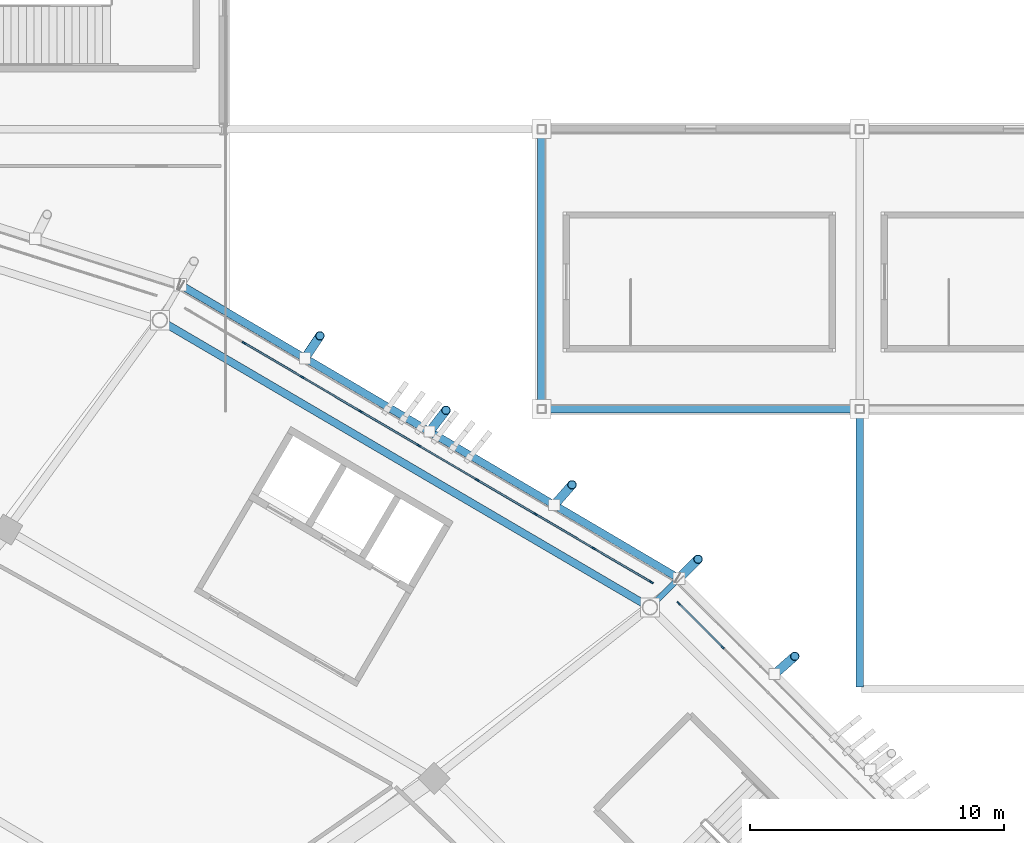
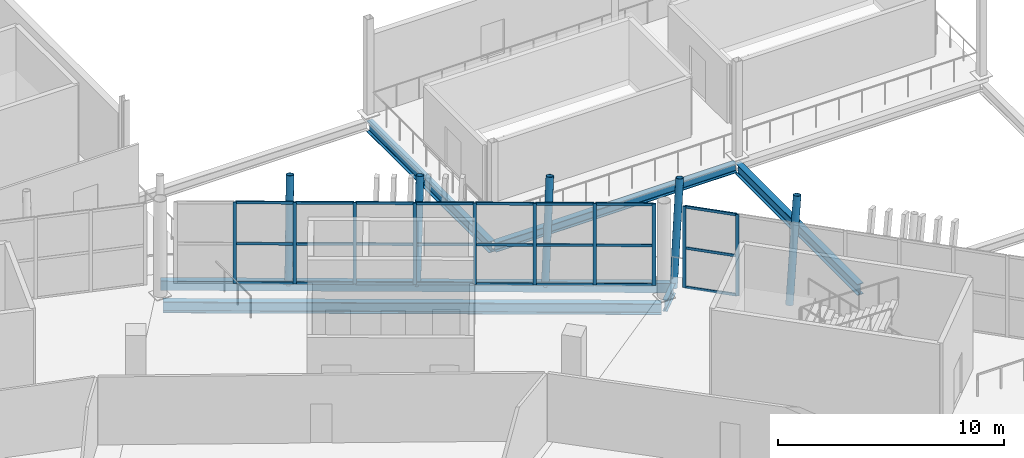
# One storey, part 84 of 178: 39 members, 6 beams, 2 elements without a shape of their own.
"""IFC4 building model written with IfcOpenShell, lengths in metres."""

from ifc_helpers import new_model, si_unit, direction, frame, origin, origin_2d, place, context, subcontext, project, spatial, rectangle, hollow_rectangle, hollow_circle, i_section, extrude, material, material_profile, profile_set, type_object, element, aggregate, save


model = new_model("IFC4")

# Units and contexts
model_context = context("Model", 3, precision=1e-05, world=origin(), true_north=direction((0.0, 1.0)))
body_context = subcontext(model_context, "Body", "Model", "MODEL_VIEW")
ifc_project = project(units=[si_unit("LENGTHUNIT", "METRE"), si_unit("AREAUNIT", "SQUARE_METRE"), si_unit("VOLUMEUNIT", "CUBIC_METRE"), si_unit("PLANEANGLEUNIT", "RADIAN"), si_unit("MASSUNIT", "GRAM", prefix="KILO")], contexts=[model_context])

# Site, building, storey
site_placement = place(None, origin())
site = spatial("IfcSite", under=ifc_project, at=site_placement, CompositionType="ELEMENT")
building_placement = place(site_placement, origin())
building = spatial("IfcBuilding", under=site, at=building_placement, Name="Zlatoyarsky Gate Stadium", CompositionType="ELEMENT")
storey_placement = place(building_placement, frame((0.0, 0.0, 5.39990234375)))
storey = spatial("IfcBuildingStorey", under=building, at=storey_placement, Name="L01", CompositionType="ELEMENT", Elevation=5.39990234375)

# Curtain wall, members
ifc_material_1 = material(Name="Thermally broken anodised aluminium curtain wall", Category="aluminium")
curtain_wall_type = type_object("IfcCurtainWallType", Name="UNITISED HOSPITALITY GLAZING L01", PredefinedType="USERDEFINED", material=ifc_material_1)
curtain_wall_1_placement = place(storey_placement, origin())
curtain_wall_1 = element("IfcCurtainWall", 1, at=curtain_wall_1_placement, inside=storey, type_object=curtain_wall_type, Name="Curtain wall CW-L01-02", ObjectType="UNITISED GLAZING", PredefinedType="USERDEFINED")
ifc_material_2 = material(Name="Anodised aluminium 6063-T6", Category="aluminium")
ifc_material_profile_1 = material_profile(ifc_material_2, rectangle(XDim=0.06494140625, YDim=0.159912109375, at=origin_2d()), Name="ALU 65X160")
ifc_profile_set_1 = profile_set([ifc_material_profile_1], Name="Anodised aluminium 6063-T6")
member_type_1 = type_object("IfcMemberType", Name="ALUMINIUM MULLION 65X160", PredefinedType="MULLION", material=ifc_profile_set_1)
member_1_placement = place(storey_placement, frame((179.61376953125, 128.64111328125, 0.0), z_axis=(0.0, 0.0, 1.0), x_axis=(-0.706370937898, -0.707841859523, 0.0)))
member_1 = element("IfcMember", 2, at=member_1_placement, type_object=member_type_1, Name="CW-UG1 mullion 8", PredefinedType="MULLION", context=body_context, shape_type="SweptSolid", body=[
    extrude(rectangle(XDim=0.06494140625, YDim=0.159912109375, at=origin_2d()), origin(), (0.0, 0.0, 1.0), 4.400146484375),
])
member_2_placement = place(storey_placement, frame((177.886474609375, 130.364990234375, 0.0), z_axis=(0.0, 0.0, 1.0), x_axis=(-0.706370937898, -0.707841859523, 0.0)))
member_2 = element("IfcMember", 3, at=member_2_placement, type_object=member_type_1, Name="CW-UG1 mullion 9", PredefinedType="MULLION", context=body_context, shape_type="SweptSolid", body=[
    extrude(rectangle(XDim=0.06494140625, YDim=0.159912109375, at=origin_2d()), origin(), (0.0, 0.0, 1.0), 4.400146484375),
])

curtain_wall_2_placement = place(storey_placement, origin())
curtain_wall_2 = element("IfcCurtainWall", 4, at=curtain_wall_2_placement, inside=storey, type_object=curtain_wall_type, Name="Curtain wall CW-L01-03", ObjectType="UNITISED GLAZING", PredefinedType="USERDEFINED")
member_3_placement = place(storey_placement, frame((176.81494140625, 131.19287109375, 0.0), z_axis=(0.0, 0.0, 1.0), x_axis=(-0.506590401335, -0.862186850558, 0.0)))
member_3 = element("IfcMember", 5, at=member_3_placement, type_object=member_type_1, Name="CW-UG1 mullion 1", PredefinedType="MULLION", context=body_context, shape_type="SweptSolid", body=[
    extrude(rectangle(XDim=0.06494140625, YDim=0.159912109375, at=origin_2d()), origin(), (0.0, 0.0, 1.0), 4.400146484375),
])
member_4_placement = place(storey_placement, frame((174.5517578125, 132.5224609375, 0.0), z_axis=(0.0, 0.0, 1.0), x_axis=(-0.506590401335, -0.862186850558, 0.0)))
member_4 = element("IfcMember", 6, at=member_4_placement, type_object=member_type_1, Name="CW-UG1 mullion 2", PredefinedType="MULLION", context=body_context, shape_type="SweptSolid", body=[
    extrude(rectangle(XDim=0.06494140625, YDim=0.159912109375, at=origin_2d()), origin(), (0.0, 0.0, 1.0), 4.400146484375),
])
member_5_placement = place(storey_placement, frame((172.2607421875, 133.86865234375, 0.0), z_axis=(0.0, 0.0, 1.0), x_axis=(-0.506590401335, -0.862186850558, 0.0)))
member_5 = element("IfcMember", 7, at=member_5_placement, type_object=member_type_1, Name="CW-UG1 mullion 3", PredefinedType="MULLION", context=body_context, shape_type="SweptSolid", body=[
    extrude(rectangle(XDim=0.06494140625, YDim=0.159912109375, at=origin_2d()), origin(), (0.0, 0.0, 1.0), 4.400146484375),
])
member_6_placement = place(storey_placement, frame((169.9697265625, 135.214599609375, 0.0), z_axis=(0.0, 0.0, 1.0), x_axis=(-0.506590401335, -0.862186850558, 0.0)))
member_6 = element("IfcMember", 8, at=member_6_placement, type_object=member_type_1, Name="CW-UG1 mullion 4", PredefinedType="MULLION", context=body_context, shape_type="SweptSolid", body=[
    extrude(rectangle(XDim=0.06494140625, YDim=0.159912109375, at=origin_2d()), origin(), (0.0, 0.0, 1.0), 4.400146484375),
])
member_7_placement = place(storey_placement, frame((167.6787109375, 136.560791015625, 0.0), z_axis=(0.0, 0.0, 1.0), x_axis=(-0.506590401335, -0.862186850558, 0.0)))
member_7 = element("IfcMember", 9, at=member_7_placement, type_object=member_type_1, Name="CW-UG1 mullion 5", PredefinedType="MULLION", context=body_context, shape_type="SweptSolid", body=[
    extrude(rectangle(XDim=0.06494140625, YDim=0.159912109375, at=origin_2d()), origin(), (0.0, 0.0, 1.0), 4.400146484375),
])
member_8_placement = place(storey_placement, frame((165.3876953125, 137.906982421875, 0.0), z_axis=(0.0, 0.0, 1.0), x_axis=(-0.506590401335, -0.862186850558, 0.0)))
member_8 = element("IfcMember", 10, at=member_8_placement, type_object=member_type_1, Name="CW-UG1 mullion 6", PredefinedType="MULLION", context=body_context, shape_type="SweptSolid", body=[
    extrude(rectangle(XDim=0.06494140625, YDim=0.159912109375, at=origin_2d()), origin(), (0.0, 0.0, 1.0), 4.400146484375),
])
member_9_placement = place(storey_placement, frame((163.0966796875, 139.2529296875, 0.0), z_axis=(0.0, 0.0, 1.0), x_axis=(-0.506590401335, -0.862186850558, 0.0)))
member_9 = element("IfcMember", 11, at=member_9_placement, type_object=member_type_1, Name="CW-UG1 mullion 7", PredefinedType="MULLION", context=body_context, shape_type="SweptSolid", body=[
    extrude(rectangle(XDim=0.06494140625, YDim=0.159912109375, at=origin_2d()), origin(), (0.0, 0.0, 1.0), 4.400146484375),
])
member_10_placement = place(storey_placement, frame((160.8056640625, 140.59912109375, 0.0), z_axis=(0.0, 0.0, 1.0), x_axis=(-0.506590401335, -0.862186850558, 0.0)))
member_10 = element("IfcMember", 12, at=member_10_placement, type_object=member_type_1, Name="CW-UG1 mullion 8", PredefinedType="MULLION", context=body_context, shape_type="SweptSolid", body=[
    extrude(rectangle(XDim=0.06494140625, YDim=0.159912109375, at=origin_2d()), origin(), (0.0, 0.0, 1.0), 4.400146484375),
])

# Member
ifc_material_profile_2 = material_profile(ifc_material_2, rectangle(XDim=0.06494140625, YDim=0.139892578125, at=origin_2d()), Name="ALU 65X140")
ifc_profile_set_2 = profile_set([ifc_material_profile_2], Name="Anodised aluminium 6063-T6")
member_type_2 = type_object("IfcMemberType", Name="ALUMINIUM TRANSOM 65X140", PredefinedType="USERDEFINED", material=ifc_profile_set_2)
member_11_placement = place(storey_placement, frame((179.5908203125, 128.6640625, 0.03271484375), z_axis=(-0.707825854859, 0.706386975526, 0.0), x_axis=(-0.706386975526, -0.707825854859, 0.0)))
member_11 = element("IfcMember", 13, at=member_11_placement, type_object=member_type_2, Name="CW-UG1 transom 8.1", ObjectType="TRANSOM", PredefinedType="USERDEFINED", context=body_context, shape_type="SweptSolid", body=[
    extrude(rectangle(XDim=0.06494140625, YDim=0.139892578125, at=origin_2d()), origin(), (0.0, 0.0, 1.0), 2.37548828125),
])

member_12_placement = place(storey_placement, frame((179.5908203125, 128.6640625, 2.150146484375), z_axis=(-0.707825854859, 0.706386975526, 0.0), x_axis=(-0.706386975526, -0.707825854859, 0.0)))
member_12 = element("IfcMember", 14, at=member_12_placement, type_object=member_type_2, Name="CW-UG1 transom 8.2", ObjectType="TRANSOM", PredefinedType="USERDEFINED", context=body_context, shape_type="SweptSolid", body=[
    extrude(rectangle(XDim=0.06494140625, YDim=0.139892578125, at=origin_2d()), origin(), (0.0, 0.0, 1.0), 2.37548828125),
])

member_13_placement = place(storey_placement, frame((179.5908203125, 128.6640625, 4.36767578125), z_axis=(-0.707825854859, 0.706386975526, 0.0), x_axis=(-0.706386975526, -0.707825854859, 0.0)))
member_13 = element("IfcMember", 15, at=member_13_placement, type_object=member_type_2, Name="CW-UG1 transom 8.3", ObjectType="TRANSOM", PredefinedType="USERDEFINED", context=body_context, shape_type="SweptSolid", body=[
    extrude(rectangle(XDim=0.06494140625, YDim=0.139892578125, at=origin_2d()), origin(), (0.0, 0.0, 1.0), 2.37548828125),
])

aggregate(curtain_wall_1, [member_1, member_2, member_11, member_12, member_13])

member_14_placement = place(storey_placement, frame((176.786865234375, 131.209228515625, 0.03271484375), z_axis=(-0.862211146606, 0.506549048631, 0.0), x_axis=(-0.506549048631, -0.862211146606, 0.0)))
member_14 = element("IfcMember", 16, at=member_14_placement, type_object=member_type_2, Name="CW-UG1 transom 1.1", ObjectType="TRANSOM", PredefinedType="USERDEFINED", context=body_context, shape_type="SweptSolid", body=[
    extrude(rectangle(XDim=0.06494140625, YDim=0.139892578125, at=origin_2d()), origin(), (0.0, 0.0, 1.0), 2.559814453125),
])

member_15_placement = place(storey_placement, frame((176.786865234375, 131.209228515625, 2.150146484375), z_axis=(-0.862211146606, 0.506549048631, 0.0), x_axis=(-0.506549048631, -0.862211146606, 0.0)))
member_15 = element("IfcMember", 17, at=member_15_placement, type_object=member_type_2, Name="CW-UG1 transom 1.2", ObjectType="TRANSOM", PredefinedType="USERDEFINED", context=body_context, shape_type="SweptSolid", body=[
    extrude(rectangle(XDim=0.06494140625, YDim=0.139892578125, at=origin_2d()), origin(), (0.0, 0.0, 1.0), 2.559814453125),
])

member_16_placement = place(storey_placement, frame((176.786865234375, 131.209228515625, 4.36767578125), z_axis=(-0.862211146606, 0.506549048631, 0.0), x_axis=(-0.506549048631, -0.862211146606, 0.0)))
member_16 = element("IfcMember", 18, at=member_16_placement, type_object=member_type_2, Name="CW-UG1 transom 1.3", ObjectType="TRANSOM", PredefinedType="USERDEFINED", context=body_context, shape_type="SweptSolid", body=[
    extrude(rectangle(XDim=0.06494140625, YDim=0.139892578125, at=origin_2d()), origin(), (0.0, 0.0, 1.0), 2.559814453125),
])

member_17_placement = place(storey_placement, frame((174.52392578125, 132.538818359375, 0.03271484375), z_axis=(-0.862193150748, 0.506579678632, 0.0), x_axis=(-0.506579678632, -0.862193150748, 0.0)))
member_17 = element("IfcMember", 19, at=member_17_placement, type_object=member_type_2, Name="CW-UG1 transom 2.1", ObjectType="TRANSOM", PredefinedType="USERDEFINED", context=body_context, shape_type="SweptSolid", body=[
    extrude(rectangle(XDim=0.06494140625, YDim=0.139892578125, at=origin_2d()), origin(), (0.0, 0.0, 1.0), 2.59228515625),
])

member_18_placement = place(storey_placement, frame((174.52392578125, 132.538818359375, 2.150146484375), z_axis=(-0.862193150748, 0.506579678632, 0.0), x_axis=(-0.506579678632, -0.862193150748, 0.0)))
member_18 = element("IfcMember", 20, at=member_18_placement, type_object=member_type_2, Name="CW-UG1 transom 2.2", ObjectType="TRANSOM", PredefinedType="USERDEFINED", context=body_context, shape_type="SweptSolid", body=[
    extrude(rectangle(XDim=0.06494140625, YDim=0.139892578125, at=origin_2d()), origin(), (0.0, 0.0, 1.0), 2.59228515625),
])

member_19_placement = place(storey_placement, frame((174.52392578125, 132.538818359375, 4.36767578125), z_axis=(-0.862193150748, 0.506579678632, 0.0), x_axis=(-0.506579678632, -0.862193150748, 0.0)))
member_19 = element("IfcMember", 21, at=member_19_placement, type_object=member_type_2, Name="CW-UG1 transom 2.3", ObjectType="TRANSOM", PredefinedType="USERDEFINED", context=body_context, shape_type="SweptSolid", body=[
    extrude(rectangle(XDim=0.06494140625, YDim=0.139892578125, at=origin_2d()), origin(), (0.0, 0.0, 1.0), 2.59228515625),
])

member_20_placement = place(storey_placement, frame((172.23291015625, 133.885009765625, 0.03271484375), z_axis=(-0.862193150748, 0.506579678632, 0.0), x_axis=(-0.506579678632, -0.862193150748, 0.0)))
member_20 = element("IfcMember", 22, at=member_20_placement, type_object=member_type_2, Name="CW-UG1 transom 3.1", ObjectType="TRANSOM", PredefinedType="USERDEFINED", context=body_context, shape_type="SweptSolid", body=[
    extrude(rectangle(XDim=0.06494140625, YDim=0.139892578125, at=origin_2d()), origin(), (0.0, 0.0, 1.0), 2.59228515625),
])

member_21_placement = place(storey_placement, frame((172.23291015625, 133.885009765625, 2.150146484375), z_axis=(-0.862193150748, 0.506579678632, 0.0), x_axis=(-0.506579678632, -0.862193150748, 0.0)))
member_21 = element("IfcMember", 23, at=member_21_placement, type_object=member_type_2, Name="CW-UG1 transom 3.2", ObjectType="TRANSOM", PredefinedType="USERDEFINED", context=body_context, shape_type="SweptSolid", body=[
    extrude(rectangle(XDim=0.06494140625, YDim=0.139892578125, at=origin_2d()), origin(), (0.0, 0.0, 1.0), 2.59228515625),
])

member_22_placement = place(storey_placement, frame((172.23291015625, 133.885009765625, 4.36767578125), z_axis=(-0.862193150748, 0.506579678632, 0.0), x_axis=(-0.506579678632, -0.862193150748, 0.0)))
member_22 = element("IfcMember", 24, at=member_22_placement, type_object=member_type_2, Name="CW-UG1 transom 3.3", ObjectType="TRANSOM", PredefinedType="USERDEFINED", context=body_context, shape_type="SweptSolid", body=[
    extrude(rectangle(XDim=0.06494140625, YDim=0.139892578125, at=origin_2d()), origin(), (0.0, 0.0, 1.0), 2.59228515625),
])

member_23_placement = place(storey_placement, frame((169.94189453125, 135.231201171875, 0.03271484375), z_axis=(-0.862193150748, 0.506579678632, 0.0), x_axis=(-0.506579678632, -0.862193150748, 0.0)))
member_23 = element("IfcMember", 25, at=member_23_placement, type_object=member_type_2, Name="CW-UG1 transom 4.1", ObjectType="TRANSOM", PredefinedType="USERDEFINED", context=body_context, shape_type="SweptSolid", body=[
    extrude(rectangle(XDim=0.06494140625, YDim=0.139892578125, at=origin_2d()), origin(), (0.0, 0.0, 1.0), 2.59228515625),
])

member_24_placement = place(storey_placement, frame((169.94189453125, 135.231201171875, 2.150146484375), z_axis=(-0.862193150748, 0.506579678632, 0.0), x_axis=(-0.506579678632, -0.862193150748, 0.0)))
member_24 = element("IfcMember", 26, at=member_24_placement, type_object=member_type_2, Name="CW-UG1 transom 4.2", ObjectType="TRANSOM", PredefinedType="USERDEFINED", context=body_context, shape_type="SweptSolid", body=[
    extrude(rectangle(XDim=0.06494140625, YDim=0.139892578125, at=origin_2d()), origin(), (0.0, 0.0, 1.0), 2.59228515625),
])

member_25_placement = place(storey_placement, frame((169.94189453125, 135.231201171875, 4.36767578125), z_axis=(-0.862193150748, 0.506579678632, 0.0), x_axis=(-0.506579678632, -0.862193150748, 0.0)))
member_25 = element("IfcMember", 27, at=member_25_placement, type_object=member_type_2, Name="CW-UG1 transom 4.3", ObjectType="TRANSOM", PredefinedType="USERDEFINED", context=body_context, shape_type="SweptSolid", body=[
    extrude(rectangle(XDim=0.06494140625, YDim=0.139892578125, at=origin_2d()), origin(), (0.0, 0.0, 1.0), 2.59228515625),
])

member_26_placement = place(storey_placement, frame((167.65087890625, 136.5771484375, 0.03271484375), z_axis=(-0.862193150748, 0.506579678632, 0.0), x_axis=(-0.506579678632, -0.862193150748, 0.0)))
member_26 = element("IfcMember", 28, at=member_26_placement, type_object=member_type_2, Name="CW-UG1 transom 5.1", ObjectType="TRANSOM", PredefinedType="USERDEFINED", context=body_context, shape_type="SweptSolid", body=[
    extrude(rectangle(XDim=0.06494140625, YDim=0.139892578125, at=origin_2d()), origin(), (0.0, 0.0, 1.0), 2.59228515625),
])

member_27_placement = place(storey_placement, frame((167.65087890625, 136.5771484375, 2.150146484375), z_axis=(-0.862193150748, 0.506579678632, 0.0), x_axis=(-0.506579678632, -0.862193150748, 0.0)))
member_27 = element("IfcMember", 29, at=member_27_placement, type_object=member_type_2, Name="CW-UG1 transom 5.2", ObjectType="TRANSOM", PredefinedType="USERDEFINED", context=body_context, shape_type="SweptSolid", body=[
    extrude(rectangle(XDim=0.06494140625, YDim=0.139892578125, at=origin_2d()), origin(), (0.0, 0.0, 1.0), 2.59228515625),
])

member_28_placement = place(storey_placement, frame((167.65087890625, 136.5771484375, 4.36767578125), z_axis=(-0.862193150748, 0.506579678632, 0.0), x_axis=(-0.506579678632, -0.862193150748, 0.0)))
member_28 = element("IfcMember", 30, at=member_28_placement, type_object=member_type_2, Name="CW-UG1 transom 5.3", ObjectType="TRANSOM", PredefinedType="USERDEFINED", context=body_context, shape_type="SweptSolid", body=[
    extrude(rectangle(XDim=0.06494140625, YDim=0.139892578125, at=origin_2d()), origin(), (0.0, 0.0, 1.0), 2.59228515625),
])

member_29_placement = place(storey_placement, frame((165.35986328125, 137.92333984375, 0.03271484375), z_axis=(-0.862193150748, 0.506579678632, 0.0), x_axis=(-0.506579678632, -0.862193150748, 0.0)))
member_29 = element("IfcMember", 31, at=member_29_placement, type_object=member_type_2, Name="CW-UG1 transom 6.1", ObjectType="TRANSOM", PredefinedType="USERDEFINED", context=body_context, shape_type="SweptSolid", body=[
    extrude(rectangle(XDim=0.06494140625, YDim=0.139892578125, at=origin_2d()), origin(), (0.0, 0.0, 1.0), 2.59228515625),
])

member_30_placement = place(storey_placement, frame((165.35986328125, 137.92333984375, 2.150146484375), z_axis=(-0.862193150748, 0.506579678632, 0.0), x_axis=(-0.506579678632, -0.862193150748, 0.0)))
member_30 = element("IfcMember", 32, at=member_30_placement, type_object=member_type_2, Name="CW-UG1 transom 6.2", ObjectType="TRANSOM", PredefinedType="USERDEFINED", context=body_context, shape_type="SweptSolid", body=[
    extrude(rectangle(XDim=0.06494140625, YDim=0.139892578125, at=origin_2d()), origin(), (0.0, 0.0, 1.0), 2.59228515625),
])

member_31_placement = place(storey_placement, frame((165.35986328125, 137.92333984375, 4.36767578125), z_axis=(-0.862193150748, 0.506579678632, 0.0), x_axis=(-0.506579678632, -0.862193150748, 0.0)))
member_31 = element("IfcMember", 33, at=member_31_placement, type_object=member_type_2, Name="CW-UG1 transom 6.3", ObjectType="TRANSOM", PredefinedType="USERDEFINED", context=body_context, shape_type="SweptSolid", body=[
    extrude(rectangle(XDim=0.06494140625, YDim=0.139892578125, at=origin_2d()), origin(), (0.0, 0.0, 1.0), 2.59228515625),
])

member_32_placement = place(storey_placement, frame((163.06884765625, 139.26953125, 0.03271484375), z_axis=(-0.862193150748, 0.506579678632, 0.0), x_axis=(-0.506579678632, -0.862193150748, 0.0)))
member_32 = element("IfcMember", 34, at=member_32_placement, type_object=member_type_2, Name="CW-UG1 transom 7.1", ObjectType="TRANSOM", PredefinedType="USERDEFINED", context=body_context, shape_type="SweptSolid", body=[
    extrude(rectangle(XDim=0.06494140625, YDim=0.139892578125, at=origin_2d()), origin(), (0.0, 0.0, 1.0), 2.59228515625),
])

member_33_placement = place(storey_placement, frame((163.06884765625, 139.26953125, 2.150146484375), z_axis=(-0.862193150748, 0.506579678632, 0.0), x_axis=(-0.506579678632, -0.862193150748, 0.0)))
member_33 = element("IfcMember", 35, at=member_33_placement, type_object=member_type_2, Name="CW-UG1 transom 7.2", ObjectType="TRANSOM", PredefinedType="USERDEFINED", context=body_context, shape_type="SweptSolid", body=[
    extrude(rectangle(XDim=0.06494140625, YDim=0.139892578125, at=origin_2d()), origin(), (0.0, 0.0, 1.0), 2.59228515625),
])

member_34_placement = place(storey_placement, frame((163.06884765625, 139.26953125, 4.36767578125), z_axis=(-0.862193150748, 0.506579678632, 0.0), x_axis=(-0.506579678632, -0.862193150748, 0.0)))
member_34 = element("IfcMember", 36, at=member_34_placement, type_object=member_type_2, Name="CW-UG1 transom 7.3", ObjectType="TRANSOM", PredefinedType="USERDEFINED", context=body_context, shape_type="SweptSolid", body=[
    extrude(rectangle(XDim=0.06494140625, YDim=0.139892578125, at=origin_2d()), origin(), (0.0, 0.0, 1.0), 2.59228515625),
])

aggregate(curtain_wall_2, [member_3, member_4, member_5, member_6, member_7, member_8, member_9, member_10, member_14, member_15, member_16, member_17, member_18, member_19, member_20, member_21, member_22, member_23, member_24, member_25, member_26, member_27, member_28, member_29, member_30, member_31, member_32, member_33, member_34])

# Beam
ifc_material_3 = material(Name="Steel S355", Category="steel")
ifc_material_profile_3 = material_profile(ifc_material_3, i_section(OverallWidth=0.219970703125, OverallDepth=0.60009765625, WebThickness=0.011962890625, FlangeThickness=0.01904296875, FilletRadius=0.02392578125, at=origin_2d()), Name="IPE 600")
ifc_profile_set_3 = profile_set([ifc_material_profile_3], Name="Steel S355")
beam_type_1 = type_object("IfcBeamType", Name="STEEL CANTILEVER FLOOR BEAM IPE 600", PredefinedType="BEAM", material=ifc_profile_set_3)
beam_1_placement = place(storey_placement, frame((176.845703125, 130.28955078125, -0.599853515625), z_axis=(0.707106781187, 0.707106781187, 0.0), x_axis=(-0.707106781187, 0.707106781187, 0.0)))
element("IfcBeam", 37, at=beam_1_placement, inside=storey, type_object=beam_type_1, Name="Beam B-IPE600 BM-L01-OUT-03", PredefinedType="BEAM", context=body_context, shape_type="SweptSolid", body=[
    extrude(i_section(OverallWidth=0.219970703125, OverallDepth=0.60009765625, WebThickness=0.011962890625, FlangeThickness=0.01904296875, FilletRadius=0.02392578125, at=origin_2d()), origin(), (0.0, 0.0, 1.0), 1.488525390625),
])

# Members
ifc_material_profile_4 = material_profile(ifc_material_3, hollow_circle(Radius=0.177734375, WallThickness=0.02001953125, at=origin_2d()), Name="CHS 355.6X20")
ifc_profile_set_4 = profile_set([ifc_material_profile_4], Name="Steel S355")
member_type_3 = type_object("IfcMemberType", Name="STEEL LEANING RIB RING STRUT CHS 355.6X20", PredefinedType="STRUT", material=ifc_profile_set_4)
member_35_placement = place(storey_placement, frame((177.898193359375, 131.342041015625, -0.599853515625), z_axis=(0.141682614506, 0.141636792186, 0.979727031293), x_axis=(-0.706992408883, 0.707221134994, 0.0)))
element("IfcMember", 38, at=member_35_placement, inside=storey, type_object=member_type_3, Name="Leaning ring strut 03 L01 to L02", PredefinedType="STRUT", context=body_context, shape_type="SweptSolid", body=[
    extrude(hollow_circle(Radius=0.177734375, WallThickness=0.02001953125, at=origin_2d()), origin(), (0.0, 0.0, 1.0), 5.327880859375),
])
for number, where, z_axis, x_axis, name in (
    (39, (181.656982421875, 127.58251953125, -0.5498046875), (0.149693382976, 0.131314005581, 0.979973735889), (-0.659449228853, 0.751749103468, 0.0), "Outward-leaning bowl louvre fin rib L01 02-3"),
    (40, (172.999755859375, 134.226806640625, -0.5498046875), (0.131315806964, 0.149603767514, 0.979987179297), (-0.751548806243, 0.659677490774, 0.0), "Outward-leaning bowl louvre fin rib L01 03-1"),
):
    element("IfcMember", number, at=place(storey_placement, frame(where, z_axis=z_axis, x_axis=x_axis)), inside=storey, type_object=member_type_3, Name=name, PredefinedType="STRUT", context=body_context, shape_type="SweptSolid", body=[
        extrude(hollow_circle(Radius=0.177734375, WallThickness=0.02001953125, at=origin_2d()), origin(), (0.0, 0.0, 1.0), 5.32666015625),
    ])
member_36_placement = place(storey_placement, frame((168.101318359375, 137.111328125, -0.5498046875), z_axis=(0.120966219196, 0.157636539528, 0.980060148776), x_axis=(-0.793335236523, 0.608785021572, 0.0)))
element("IfcMember", 41, at=member_36_placement, inside=storey, type_object=member_type_3, Name="Outward-leaning bowl louvre fin rib L01 03-2", PredefinedType="STRUT", context=body_context, shape_type="SweptSolid", body=[
    extrude(hollow_circle(Radius=0.177734375, WallThickness=0.02001953125, at=origin_2d()), origin(), (0.0, 0.0, 1.0), 5.326171875),
])
member_37_placement = place(storey_placement, frame((163.202880859375, 139.99609375, -0.5498046875), z_axis=(0.110551670231, 0.165598335218, 0.979977305646), x_axis=(-0.831695977992, 0.555231303326, 0.0)))
element("IfcMember", 42, at=member_37_placement, inside=storey, type_object=member_type_3, Name="Outward-leaning bowl louvre fin rib L01 03-3", PredefinedType="STRUT", context=body_context, shape_type="SweptSolid", body=[
    extrude(hollow_circle(Radius=0.177734375, WallThickness=0.02001953125, at=origin_2d()), origin(), (0.0, 0.0, 1.0), 5.32666015625),
])

# Beams
ifc_material_profile_5 = material_profile(ifc_material_3, hollow_rectangle(XDim=0.300048828125, YDim=0.5, WallThickness=0.02001953125, at=origin_2d()), Name="RHS 500X300X20")
ifc_profile_set_5 = profile_set([ifc_material_profile_5], Name="Steel S355")
beam_type_2 = type_object("IfcBeamType", Name="STEEL LOUVRE CARRIER SPANDREL RHS 500X300X20", PredefinedType="SPANDREL", material=ifc_profile_set_5)
beam_2_placement = place(storey_placement, frame((177.881103515625, 131.35205078125, -0.5498046875), z_axis=(-0.861685270129, 0.50744309557, 0.0), x_axis=(-0.50744309557, -0.861685270129, 0.0)))
element("IfcBeam", 43, at=beam_2_placement, inside=storey, type_object=beam_type_2, Name="Beam SP-RHS500 BM-L01-SPD-03", PredefinedType="SPANDREL", context=body_context, shape_type="SweptSolid", body=[
    extrude(hollow_rectangle(XDim=0.300048828125, YDim=0.5, WallThickness=0.02001953125, at=origin_2d()), origin(), (0.0, 0.0, 1.0), 22.69921875),
])
ifc_material_profile_6 = material_profile(ifc_material_3, i_section(OverallWidth=0.300048828125, OverallDepth=0.5, WebThickness=0.014404296875, FlangeThickness=0.028076171875, FilletRadius=0.027099609375, at=origin_2d()), Name="HEB 500")
ifc_profile_set_6 = profile_set([ifc_material_profile_6], Name="Steel S355")
beam_type_3 = type_object("IfcBeamType", Name="STEEL PRIMARY GIRDER HEB 500", PredefinedType="BEAM", material=ifc_profile_set_6)
beam_3_placement = place(storey_placement, frame((172.580078125, 138.0, -0.5498046875), z_axis=(1.0, 0.0, 0.0), x_axis=(0.0, 1.0, 0.0)))
element("IfcBeam", 44, at=beam_3_placement, inside=storey, type_object=beam_type_3, Name="Beam G-HEB500 BM-L01-WGX-15-N", PredefinedType="BEAM", context=body_context, shape_type="SweptSolid", body=[
    extrude(i_section(OverallWidth=0.300048828125, OverallDepth=0.5, WebThickness=0.014404296875, FlangeThickness=0.028076171875, FilletRadius=0.027099609375, at=origin_2d()), origin(), (0.0, 0.0, 1.0), 12.33984375),
])
ifc_material_profile_7 = material_profile(ifc_material_3, i_section(OverallWidth=0.300048828125, OverallDepth=0.60009765625, WebThickness=0.015380859375, FlangeThickness=0.030029296875, FilletRadius=0.027099609375, at=origin_2d()), Name="HEB 600")
ifc_profile_set_7 = profile_set([ifc_material_profile_7], Name="Steel S355")
beam_type_4 = type_object("IfcBeamType", Name="STEEL PRIMARY GIRDER HEB 600", PredefinedType="BEAM", material=ifc_profile_set_7)
beam_4_placement = place(storey_placement, frame((176.657470703125, 130.265380859375, -0.599853515625), z_axis=(-0.862854775092, 0.505451913738, 0.0), x_axis=(-0.505451913738, -0.862854775092, 0.0)))
element("IfcBeam", 45, at=beam_4_placement, inside=storey, type_object=beam_type_4, Name="Beam G-HEB600 BM-L01-CRC-03", PredefinedType="BEAM", context=body_context, shape_type="SweptSolid", body=[
    extrude(i_section(OverallWidth=0.300048828125, OverallDepth=0.60009765625, WebThickness=0.015380859375, FlangeThickness=0.030029296875, FilletRadius=0.027099609375, at=origin_2d()), origin(), (0.0, 0.0, 1.0), 22.08251953125),
])
for number, where, z_axis, x_axis, name in (
    (46, (172.5, 138.080078125, -0.599853515625), (0.0, 1.0, 0.0), (-1.0, 0.0, 0.0), "Beam G-HEB600 BM-L01-WGY-15-N"),
    (47, (185.0, 127.080078125, -0.599853515625), (0.0, 1.0, 0.0), (-1.0, 0.0, 0.0), "Beam G-HEB600 BM-L01-WGY-16-M"),
):
    element("IfcBeam", number, at=place(storey_placement, frame(where, z_axis=z_axis, x_axis=x_axis)), inside=storey, type_object=beam_type_4, Name=name, PredefinedType="BEAM", context=body_context, shape_type="SweptSolid", body=[
        extrude(i_section(OverallWidth=0.300048828125, OverallDepth=0.60009765625, WebThickness=0.015380859375, FlangeThickness=0.030029296875, FilletRadius=0.027099609375, at=origin_2d()), origin(), (0.0, 0.0, 1.0), 10.83984375),
    ])

save(model, "model.ifc")
